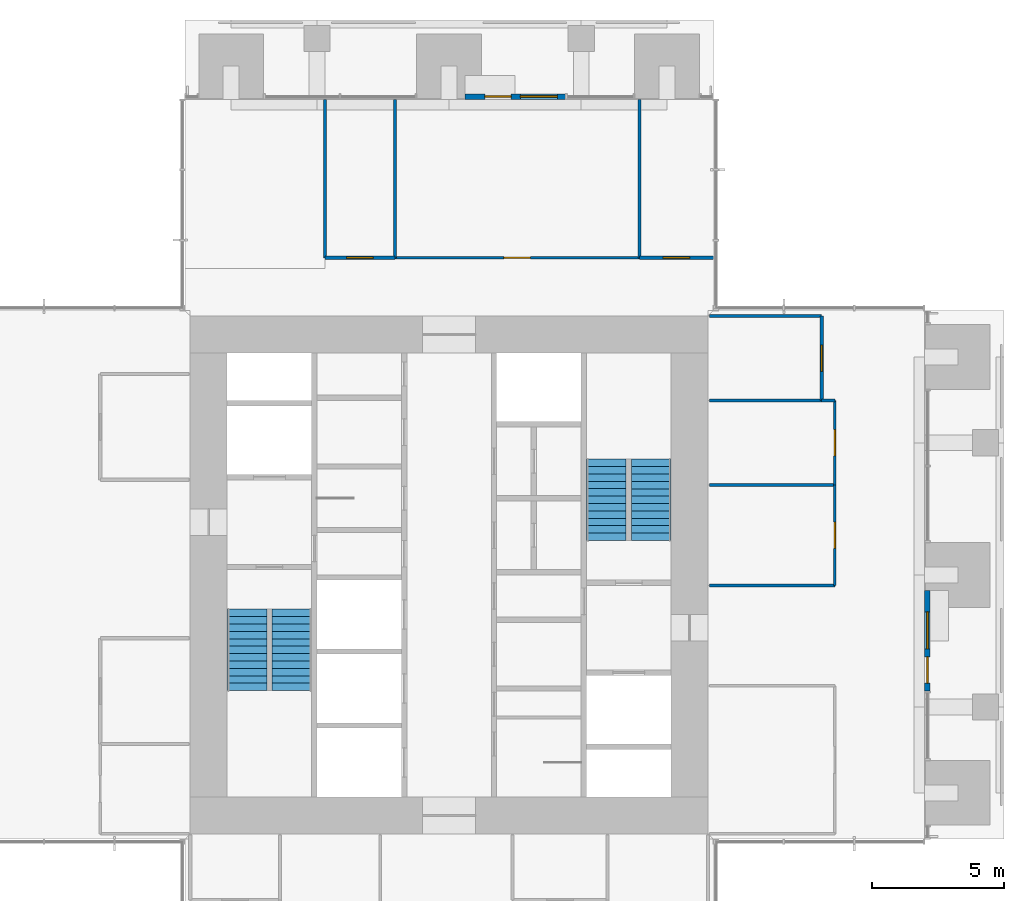
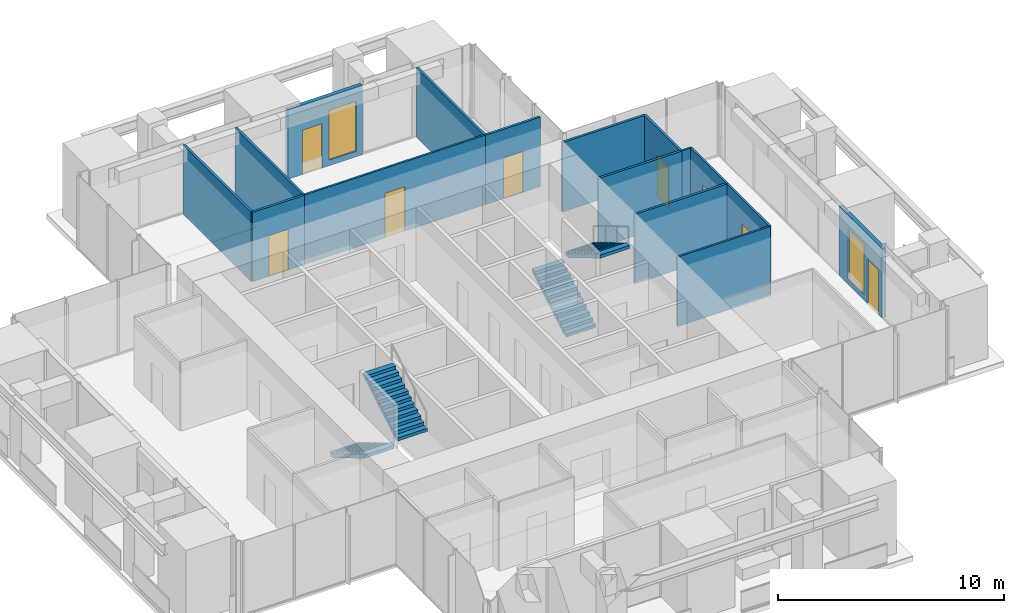
# One storey, part 14 of 17: 16 walls, 8 doors, 4 stair flights, 2 windows, 10 openings, 2 elements without a shape of their own.
"""IFC4 building model written with IfcOpenShell, lengths in metres."""

from ifc_helpers import new_model, si_unit, direction, frame, frame_2d, origin, place, context, subcontext, project, spatial, polyline, rectangle, outline, extrude, material, layer, layer_set, type_object, element, fill, aggregate, save


model = new_model("IFC4")

# Units and contexts
model_context = context("Model", 3, precision=1e-05, world=origin(), true_north=direction((0.0, 1.0)))
body_context = subcontext(model_context, "Body", "Model", "MODEL_VIEW")
ifc_project = project(units=[si_unit("LENGTHUNIT", "METRE"), si_unit("AREAUNIT", "SQUARE_METRE"), si_unit("VOLUMEUNIT", "CUBIC_METRE"), si_unit("PLANEANGLEUNIT", "RADIAN"), si_unit("MASSUNIT", "GRAM", prefix="KILO")], contexts=[model_context])

# Site, building, storey
site_placement = place(None, origin())
site = spatial("IfcSite", under=ifc_project, at=site_placement, CompositionType="ELEMENT")
building_placement = place(site_placement, origin())
building = spatial("IfcBuilding", under=site, at=building_placement, Name="Svetlomir Tower", CompositionType="ELEMENT")
storey_placement = place(building_placement, frame((0.0, 0.0, 194.5)))
storey = spatial("IfcBuildingStorey", under=building, at=storey_placement, Name="L46", CompositionType="ELEMENT", Elevation=194.5)

# Wall, openings, door, window
ifc_material_1 = material(Name="Bronze anodised aluminium glazed screen", Category="aluminium")
ifc_layer_1 = layer(ifc_material_1, 0.199951171875)
ifc_layer_set_1 = layer_set([ifc_layer_1], Name="Bronze anodised aluminium glazed screen")
wall_type_1 = type_object("IfcWallType", Name="BALCONY SCREEN WALL 200", PredefinedType="USERDEFINED", material=ifc_layer_set_1)
wall_1_placement = place(storey_placement, frame((39.10009765625, 16.60009765625, 0.0), z_axis=(0.0, 0.0, 1.0), x_axis=(0.0, 1.0, 0.0)))
wall_1 = element("IfcWall", 1, at=wall_1_placement, inside=storey, type_object=wall_type_1, Name="Balcony screen E", ObjectType="GLAZED SCREEN", PredefinedType="USERDEFINED", context=body_context, shape_type="SweptSolid", body=[
    extrude(rectangle(XDim=3.7998046875, YDim=0.199951171875, at=frame_2d((1.89990234375, 0.0))), origin(), (0.0, 0.0, 1.0), 3.75),
])
opening_1_placement = place(wall_1_placement, frame((0.300048828125, 0.0, 0.0)))
opening_1 = element("IfcOpeningElement", 2, at=opening_1_placement, cuts=wall_1, Name="Opening BD", PredefinedType="OPENING", context=body_context, shape_type="SweptSolid", body=[
    extrude(rectangle(XDim=1.0, YDim=2.39990234375, at=frame_2d((0.5, 1.199951171875))), frame((0.0, 0.10986328125, 0.0), z_axis=(0.0, -1.0, 0.0), x_axis=(1.0, 0.0, 0.0)), (0.0, 0.0, 1.0), 0.219970703125),
])
opening_2_placement = place(wall_1_placement, frame((1.60009765625, 0.0, 0.300048828125)))
opening_2 = element("IfcOpeningElement", 3, at=opening_2_placement, cuts=wall_1, Name="Opening WS2", PredefinedType="OPENING", context=body_context, shape_type="SweptSolid", body=[
    extrude(rectangle(XDim=1.39990234375, YDim=2.699951171875, at=frame_2d((0.699951171875, 1.35009765625))), frame((0.0, 0.10986328125, 0.0), z_axis=(0.0, -1.0, 0.0), x_axis=(1.0, 0.0, 0.0)), (0.0, 0.0, 1.0), 0.219970703125),
])
ifc_material_2 = material(Name="Bronze anodised aluminium glazed door", Category="aluminium")
door_type_1 = type_object("IfcDoorType", Name="BALCONY DOOR BD 1000x2400", OperationType="SINGLE_SWING_LEFT", PredefinedType="DOOR", material=ifc_material_2)
door_1_placement = place(opening_1_placement, origin())
door_1 = element("IfcDoor", 4, at=door_1_placement, inside=storey, type_object=door_type_1, Name="Balcony screen E door", OperationType="SINGLE_SWING_LEFT", OverallHeight=2.39990234375, OverallWidth=1.0, PredefinedType="DOOR", context=body_context, shape_type="SweptSolid", body=[
    extrude(rectangle(XDim=1.0, YDim=2.39990234375, at=frame_2d((0.5, 1.199951171875))), frame((0.0, 0.02490234375, 0.0), z_axis=(0.0, -1.0, 0.0), x_axis=(1.0, 0.0, 0.0)), (0.0, 0.0, 1.0), 0.050048828125),
])
fill(opening_1, door_1)
ifc_material_3 = material(Name="Bronze anodised aluminium window", Category="aluminium")
window_type = type_object("IfcWindowType", Name="SCREEN WINDOW WS2 1400x2700", PartitioningType="SINGLE_PANEL", PredefinedType="WINDOW", material=ifc_material_3)
window_1_placement = place(opening_2_placement, origin())
window_1 = element("IfcWindow", 5, at=window_1_placement, inside=storey, type_object=window_type, Name="Balcony screen E window 1", OverallHeight=2.699951171875, OverallWidth=1.39990234375, PartitioningType="SINGLE_PANEL", PredefinedType="WINDOW", context=body_context, shape_type="SweptSolid", body=[
    extrude(rectangle(XDim=1.39990234375, YDim=2.699951171875, at=frame_2d((0.699951171875, 1.35009765625))), frame((0.0, 0.030029296875, 0.0), z_axis=(0.0, -1.0, 0.0), x_axis=(1.0, 0.0, 0.0)), (0.0, 0.0, 1.0), 0.06005859375),
])
fill(opening_2, window_1)

wall_2_placement = place(storey_placement, frame((25.39990234375, 39.10009765625, 0.0), z_axis=(0.0, 0.0, 1.0), x_axis=(-1.0, 0.0, 0.0)))
wall_2 = element("IfcWall", 6, at=wall_2_placement, inside=storey, type_object=wall_type_1, Name="Balcony screen N", ObjectType="GLAZED SCREEN", PredefinedType="USERDEFINED", context=body_context, shape_type="SweptSolid", body=[
    extrude(rectangle(XDim=3.7998046875, YDim=0.199951171875, at=frame_2d((1.89990234375, 0.0))), origin(), (0.0, 0.0, 1.0), 3.75),
])
opening_3_placement = place(wall_2_placement, frame((2.050048828125, 0.0, 0.0)))
opening_3 = element("IfcOpeningElement", 7, at=opening_3_placement, cuts=wall_2, Name="Opening BD", PredefinedType="OPENING", context=body_context, shape_type="SweptSolid", body=[
    extrude(rectangle(XDim=1.0, YDim=2.39990234375, at=frame_2d((0.5, 1.199951171875))), frame((0.0, 0.10986328125, 0.0), z_axis=(0.0, -1.0, 0.0), x_axis=(1.0, 0.0, 0.0)), (0.0, 0.0, 1.0), 0.219970703125),
])
opening_4_placement = place(wall_2_placement, frame((0.300048828125, 0.0, 0.300048828125)))
opening_4 = element("IfcOpeningElement", 8, at=opening_4_placement, cuts=wall_2, Name="Opening WS2", PredefinedType="OPENING", context=body_context, shape_type="SweptSolid", body=[
    extrude(rectangle(XDim=1.39990234375, YDim=2.699951171875, at=frame_2d((0.699951171875, 1.35009765625))), frame((0.0, 0.10986328125, 0.0), z_axis=(0.0, -1.0, 0.0), x_axis=(1.0, 0.0, 0.0)), (0.0, 0.0, 1.0), 0.219970703125),
])
door_2_placement = place(opening_3_placement, origin())
door_2 = element("IfcDoor", 9, at=door_2_placement, inside=storey, type_object=door_type_1, Name="Balcony screen N door", OperationType="SINGLE_SWING_LEFT", OverallHeight=2.39990234375, OverallWidth=1.0, PredefinedType="DOOR", context=body_context, shape_type="SweptSolid", body=[
    extrude(rectangle(XDim=1.0, YDim=2.39990234375, at=frame_2d((0.5, 1.199951171875))), frame((0.0, 0.02490234375, 0.0), z_axis=(0.0, -1.0, 0.0), x_axis=(1.0, 0.0, 0.0)), (0.0, 0.0, 1.0), 0.050048828125),
])
fill(opening_3, door_2)
window_2_placement = place(opening_4_placement, origin())
window_2 = element("IfcWindow", 10, at=window_2_placement, inside=storey, type_object=window_type, Name="Balcony screen N window 1", OverallHeight=2.699951171875, OverallWidth=1.39990234375, PartitioningType="SINGLE_PANEL", PredefinedType="WINDOW", context=body_context, shape_type="SweptSolid", body=[
    extrude(rectangle(XDim=1.39990234375, YDim=2.699951171875, at=frame_2d((0.699951171875, 1.35009765625))), frame((0.0, 0.030029296875, 0.0), z_axis=(0.0, -1.0, 0.0), x_axis=(1.0, 0.0, 0.0)), (0.0, 0.0, 1.0), 0.06005859375),
])
fill(opening_4, window_2)

# Wall, opening, door
ifc_material_4 = material(Name="Framed laminated glass partition", Category="glass")
ifc_layer_2 = layer(ifc_material_4, 0.10009765625)
ifc_layer_set_2 = layer_set([ifc_layer_2], Name="Framed laminated glass partition")
wall_type_2 = type_object("IfcWallType", Name="GLAZED PARTITION 100", PredefinedType="PARTITIONING", material=ifc_layer_set_2)
wall_3_placement = place(storey_placement, frame((18.949951171875, 33.0, 0.0), z_axis=(0.0, 0.0, 1.0), x_axis=(1.0, 0.0, 0.0)))
wall_3 = element("IfcWall", 11, at=wall_3_placement, inside=storey, type_object=wall_type_2, Name="Glazed partition L46", PredefinedType="PARTITIONING", context=body_context, shape_type="SweptSolid", body=[
    extrude(rectangle(XDim=9.25, YDim=0.10009765625, at=frame_2d((4.625, 0.0))), origin(), (0.0, 0.0, 1.0), 3.75),
])
opening_5_placement = place(wall_3_placement, frame((4.125, 0.0, 0.0)))
opening_5 = element("IfcOpeningElement", 12, at=opening_5_placement, cuts=wall_3, Name="Opening DG", PredefinedType="OPENING", context=body_context, shape_type="SweptSolid", body=[
    extrude(rectangle(XDim=1.0, YDim=2.39990234375, at=frame_2d((0.5, 1.199951171875))), frame((0.0, 0.06005859375, 0.0), z_axis=(0.0, -1.0, 0.0), x_axis=(1.0, 0.0, 0.0)), (0.0, 0.0, 1.0), 0.1201171875),
])
ifc_material_5 = material(Name="Framed laminated glass door", Category="glass")
door_type_2 = type_object("IfcDoorType", Name="GLAZED DOOR DG 1000x2400", OperationType="SINGLE_SWING_LEFT", PredefinedType="DOOR", material=ifc_material_5)
door_3_placement = place(opening_5_placement, origin())
door_3 = element("IfcDoor", 13, at=door_3_placement, inside=storey, type_object=door_type_2, Name="Underwriting team hub door L46", OperationType="SINGLE_SWING_LEFT", OverallHeight=2.39990234375, OverallWidth=1.0, PredefinedType="DOOR", context=body_context, shape_type="SweptSolid", body=[
    extrude(rectangle(XDim=1.0, YDim=2.39990234375, at=frame_2d((0.5, 1.199951171875))), frame((0.0, 0.02490234375, 0.0), z_axis=(0.0, -1.0, 0.0), x_axis=(1.0, 0.0, 0.0)), (0.0, 0.0, 1.0), 0.050048828125),
])
fill(opening_5, door_3)

# Walls
wall_4_placement = place(storey_placement, frame((30.85009765625, 20.60009765625, 0.0), z_axis=(0.0, 0.0, 1.0), x_axis=(1.0, 0.0, 0.0)))
element("IfcWall", 14, at=wall_4_placement, inside=storey, type_object=wall_type_2, Name="Glazed partition L46", PredefinedType="PARTITIONING", context=body_context, shape_type="SweptSolid", body=[
    extrude(rectangle(XDim=4.75, YDim=0.10009765625, at=frame_2d((2.375, 0.0))), origin(), (0.0, 0.0, 1.0), 3.75),
])
wall_5_placement = place(storey_placement, frame((35.10009765625, 27.60009765625, 0.0), z_axis=(0.0, 0.0, 1.0), x_axis=(1.0, 0.0, 0.0)))
element("IfcWall", 15, at=wall_5_placement, inside=storey, type_object=wall_type_2, Name="Glazed partition L46", PredefinedType="PARTITIONING", context=body_context, shape_type="SweptSolid", body=[
    extrude(rectangle(XDim=0.5, YDim=0.10009765625, at=frame_2d((0.25, 0.0))), origin(), (0.0, 0.0, 1.0), 3.75),
])

# Wall, opening, door
wall_6_placement = place(storey_placement, frame((35.60009765625, 20.60009765625, 0.0), z_axis=(0.0, 0.0, 1.0), x_axis=(0.0, 1.0, 0.0)))
wall_6 = element("IfcWall", 16, at=wall_6_placement, inside=storey, type_object=wall_type_2, Name="Glazed partition L46", PredefinedType="PARTITIONING", context=body_context, shape_type="SweptSolid", body=[
    extrude(rectangle(XDim=3.7998046875, YDim=0.10009765625, at=frame_2d((1.89990234375, 0.0))), origin(), (0.0, 0.0, 1.0), 3.75),
])
opening_6_placement = place(wall_6_placement, frame((1.39990234375, 0.0, 0.0)))
opening_6 = element("IfcOpeningElement", 17, at=opening_6_placement, cuts=wall_6, Name="Opening DG", PredefinedType="OPENING", context=body_context, shape_type="SweptSolid", body=[
    extrude(rectangle(XDim=1.0, YDim=2.39990234375, at=frame_2d((0.5, 1.199951171875))), frame((0.0, 0.06005859375, 0.0), z_axis=(0.0, -1.0, 0.0), x_axis=(1.0, 0.0, 0.0)), (0.0, 0.0, 1.0), 0.1201171875),
])
door_4_placement = place(opening_6_placement, origin())
door_4 = element("IfcDoor", 18, at=door_4_placement, inside=storey, type_object=door_type_2, Name="Meeting room, 6 seats door L46", OperationType="SINGLE_SWING_LEFT", OverallHeight=2.39990234375, OverallWidth=1.0, PredefinedType="DOOR", context=body_context, shape_type="SweptSolid", body=[
    extrude(rectangle(XDim=1.0, YDim=2.39990234375, at=frame_2d((0.5, 1.199951171875))), frame((0.0, 0.02490234375, 0.0), z_axis=(0.0, -1.0, 0.0), x_axis=(1.0, 0.0, 0.0)), (0.0, 0.0, 1.0), 0.050048828125),
])
fill(opening_6, door_4)

wall_7_placement = place(storey_placement, frame((35.60009765625, 24.39990234375, 0.0), z_axis=(0.0, 0.0, 1.0), x_axis=(0.0, 1.0, 0.0)))
wall_7 = element("IfcWall", 19, at=wall_7_placement, inside=storey, type_object=wall_type_2, Name="Glazed partition L46", PredefinedType="PARTITIONING", context=body_context, shape_type="SweptSolid", body=[
    extrude(rectangle(XDim=3.2001953125, YDim=0.10009765625, at=frame_2d((1.60009765625, 0.0))), origin(), (0.0, 0.0, 1.0), 3.75),
])
opening_7_placement = place(wall_7_placement, frame((1.10009765625, 0.0, 0.0)))
opening_7 = element("IfcOpeningElement", 20, at=opening_7_placement, cuts=wall_7, Name="Opening DG", PredefinedType="OPENING", context=body_context, shape_type="SweptSolid", body=[
    extrude(rectangle(XDim=1.0, YDim=2.39990234375, at=frame_2d((0.5, 1.199951171875))), frame((0.0, 0.06005859375, 0.0), z_axis=(0.0, -1.0, 0.0), x_axis=(1.0, 0.0, 0.0)), (0.0, 0.0, 1.0), 0.1201171875),
])
door_5_placement = place(opening_7_placement, origin())
door_5 = element("IfcDoor", 21, at=door_5_placement, inside=storey, type_object=door_type_2, Name="Focus room door L46", OperationType="SINGLE_SWING_RIGHT", OverallHeight=2.39990234375, OverallWidth=1.0, PredefinedType="DOOR", context=body_context, shape_type="SweptSolid", body=[
    extrude(rectangle(XDim=1.0, YDim=2.39990234375, at=frame_2d((0.5, 1.199951171875))), frame((0.0, 0.02490234375, 0.0), z_axis=(0.0, -1.0, 0.0), x_axis=(1.0, 0.0, 0.0)), (0.0, 0.0, 1.0), 0.050048828125),
])
fill(opening_7, door_5)

# Wall
ifc_material_6 = material(Name="Gypsum board on steel studs", Category="steel")
ifc_layer_3 = layer(ifc_material_6, 0.1201171875)
ifc_layer_set_3 = layer_set([ifc_layer_3], Name="Gypsum board on steel studs")
wall_type_3 = type_object("IfcWallType", Name="PARTITION 120", PredefinedType="PARTITIONING", material=ifc_layer_set_3)
wall_8_placement = place(storey_placement, frame((16.300048828125, 33.0, 0.0), z_axis=(0.0, 0.0, 1.0), x_axis=(0.0, 1.0, 0.0)))
element("IfcWall", 22, at=wall_8_placement, inside=storey, type_object=wall_type_3, Name="Partition L46", PredefinedType="PARTITIONING", context=body_context, shape_type="SweptSolid", body=[
    extrude(rectangle(XDim=6.0, YDim=0.1201171875, at=frame_2d((3.0, 0.0))), origin(), (0.0, 0.0, 1.0), 3.75),
])

# Wall, opening, door
wall_9_placement = place(storey_placement, frame((16.300048828125, 33.0, 0.0), z_axis=(0.0, 0.0, 1.0), x_axis=(1.0, 0.0, 0.0)))
wall_9 = element("IfcWall", 23, at=wall_9_placement, inside=storey, type_object=wall_type_3, Name="Partition L46", PredefinedType="PARTITIONING", context=body_context, shape_type="SweptSolid", body=[
    extrude(rectangle(XDim=2.64990234375, YDim=0.1201171875, at=frame_2d((1.324951171875, 0.0))), origin(), (0.0, 0.0, 1.0), 3.75),
])
opening_8_placement = place(wall_9_placement, frame((0.824951171875, 0.0, 0.0)))
opening_8 = element("IfcOpeningElement", 24, at=opening_8_placement, cuts=wall_9, Name="Opening DR", PredefinedType="OPENING", context=body_context, shape_type="SweptSolid", body=[
    extrude(rectangle(XDim=1.0, YDim=2.199951171875, at=frame_2d((0.5, 1.10009765625))), frame((0.0, 0.070068359375, 0.0), z_axis=(0.0, -1.0, 0.0), x_axis=(1.0, 0.0, 0.0)), (0.0, 0.0, 1.0), 0.14013671875),
])
ifc_material_7 = material(Name="Timber door, glazed side light", Category="wood")
door_type_3 = type_object("IfcDoorType", Name="DOOR DR 1000x2200", OperationType="SINGLE_SWING_LEFT", PredefinedType="DOOR", material=ifc_material_7)
door_6_placement = place(opening_8_placement, origin())
door_6 = element("IfcDoor", 25, at=door_6_placement, inside=storey, type_object=door_type_3, Name="Chief underwriter office door L46", OperationType="SINGLE_SWING_RIGHT", OverallHeight=2.199951171875, OverallWidth=1.0, PredefinedType="DOOR", context=body_context, shape_type="SweptSolid", body=[
    extrude(rectangle(XDim=1.0, YDim=2.199951171875, at=frame_2d((0.5, 1.10009765625))), frame((0.0, 0.02490234375, 0.0), z_axis=(0.0, -1.0, 0.0), x_axis=(1.0, 0.0, 0.0)), (0.0, 0.0, 1.0), 0.050048828125),
])
fill(opening_8, door_6)

# Walls
for number, where, z_axis, x_axis, name in (
    (26, (18.949951171875, 33.0, 0.0), (0.0, 0.0, 1.0), (0.0, 1.0, 0.0), "Partition L46"),
    (27, (28.199951171875, 33.0, 0.0), (0.0, 0.0, 1.0), (0.0, 1.0, 0.0), "Partition L46"),
):
    element("IfcWall", number, at=place(storey_placement, frame(where, z_axis=z_axis, x_axis=x_axis)), inside=storey, type_object=wall_type_3, Name=name, PredefinedType="PARTITIONING", context=body_context, shape_type="SweptSolid", body=[
        extrude(rectangle(XDim=6.0, YDim=0.1201171875, at=frame_2d((3.0, 0.0))), origin(), (0.0, 0.0, 1.0), 3.75),
    ])

# Wall, opening, door
wall_10_placement = place(storey_placement, frame((28.199951171875, 33.0, 0.0), z_axis=(0.0, 0.0, 1.0), x_axis=(1.0, 0.0, 0.0)))
wall_10 = element("IfcWall", 28, at=wall_10_placement, inside=storey, type_object=wall_type_3, Name="Partition L46", PredefinedType="PARTITIONING", context=body_context, shape_type="SweptSolid", body=[
    extrude(rectangle(XDim=2.800048828125, YDim=0.1201171875, at=frame_2d((1.39990234375, 0.0))), origin(), (0.0, 0.0, 1.0), 3.75),
])
opening_9_placement = place(wall_10_placement, frame((0.89990234375, 0.0, 0.0)))
opening_9 = element("IfcOpeningElement", 29, at=opening_9_placement, cuts=wall_10, Name="Opening DR", PredefinedType="OPENING", context=body_context, shape_type="SweptSolid", body=[
    extrude(rectangle(XDim=1.0, YDim=2.199951171875, at=frame_2d((0.5, 1.10009765625))), frame((0.0, 0.070068359375, 0.0), z_axis=(0.0, -1.0, 0.0), x_axis=(1.0, 0.0, 0.0)), (0.0, 0.0, 1.0), 0.14013671875),
])
door_7_placement = place(opening_9_placement, origin())
door_7 = element("IfcDoor", 30, at=door_7_placement, inside=storey, type_object=door_type_3, Name="Underwriter office door L46", OperationType="SINGLE_SWING_LEFT", OverallHeight=2.199951171875, OverallWidth=1.0, PredefinedType="DOOR", context=body_context, shape_type="SweptSolid", body=[
    extrude(rectangle(XDim=1.0, YDim=2.199951171875, at=frame_2d((0.5, 1.10009765625))), frame((0.0, 0.02490234375, 0.0), z_axis=(0.0, -1.0, 0.0), x_axis=(1.0, 0.0, 0.0)), (0.0, 0.0, 1.0), 0.050048828125),
])
fill(opening_9, door_7)

# Walls
wall_11_placement = place(storey_placement, frame((30.85009765625, 24.39990234375, 0.0), z_axis=(0.0, 0.0, 1.0), x_axis=(1.0, 0.0, 0.0)))
element("IfcWall", 31, at=wall_11_placement, inside=storey, type_object=wall_type_3, Name="Partition L46", PredefinedType="PARTITIONING", context=body_context, shape_type="SweptSolid", body=[
    extrude(rectangle(XDim=4.75, YDim=0.1201171875, at=frame_2d((2.375, 0.0))), origin(), (0.0, 0.0, 1.0), 3.75),
])
for number, where, z_axis, x_axis, name in (
    (32, (30.85009765625, 27.60009765625, 0.0), (0.0, 0.0, 1.0), (1.0, 0.0, 0.0), "Partition L46"),
    (33, (30.85009765625, 30.800048828125, 0.0), (0.0, 0.0, 1.0), (1.0, 0.0, 0.0), "Partition L46"),
):
    element("IfcWall", number, at=place(storey_placement, frame(where, z_axis=z_axis, x_axis=x_axis)), inside=storey, type_object=wall_type_3, Name=name, PredefinedType="PARTITIONING", context=body_context, shape_type="SweptSolid", body=[
        extrude(rectangle(XDim=4.25, YDim=0.1201171875, at=frame_2d((2.125, 0.0))), origin(), (0.0, 0.0, 1.0), 3.75),
    ])

# Wall, opening, door
wall_12_placement = place(storey_placement, frame((35.10009765625, 27.60009765625, 0.0), z_axis=(0.0, 0.0, 1.0), x_axis=(0.0, 1.0, 0.0)))
wall_12 = element("IfcWall", 34, at=wall_12_placement, inside=storey, type_object=wall_type_3, Name="Partition L46", PredefinedType="PARTITIONING", context=body_context, shape_type="SweptSolid", body=[
    extrude(rectangle(XDim=3.199951171875, YDim=0.1201171875, at=frame_2d((1.60009765625, 0.0))), origin(), (0.0, 0.0, 1.0), 3.75),
])
opening_10_placement = place(wall_12_placement, frame((1.10009765625, 0.0, 0.0)))
opening_10 = element("IfcOpeningElement", 35, at=opening_10_placement, cuts=wall_12, Name="Opening DR", PredefinedType="OPENING", context=body_context, shape_type="SweptSolid", body=[
    extrude(rectangle(XDim=1.0, YDim=2.199951171875, at=frame_2d((0.5, 1.10009765625))), frame((0.0, 0.070068359375, 0.0), z_axis=(0.0, -1.0, 0.0), x_axis=(1.0, 0.0, 0.0)), (0.0, 0.0, 1.0), 0.14013671875),
])
door_8_placement = place(opening_10_placement, origin())
door_8 = element("IfcDoor", 36, at=door_8_placement, inside=storey, type_object=door_type_3, Name="Policy archive door L46", OperationType="SINGLE_SWING_LEFT", OverallHeight=2.199951171875, OverallWidth=1.0, PredefinedType="DOOR", context=body_context, shape_type="SweptSolid", body=[
    extrude(rectangle(XDim=1.0, YDim=2.199951171875, at=frame_2d((0.5, 1.10009765625))), frame((0.0, 0.02490234375, 0.0), z_axis=(0.0, -1.0, 0.0), x_axis=(1.0, 0.0, 0.0)), (0.0, 0.0, 1.0), 0.050048828125),
])
fill(opening_10, door_8)

# Stair, stair flights
ifc_material_8 = material(Name="Concrete C60/75", Category="concrete")
stair_type = type_object("IfcStairType", Name="EXIT STAIR 3200 RISE 4000", PredefinedType="HALF_TURN_STAIR", material=ifc_material_8)
stair_1_placement = place(storey_placement, origin())
stair_1 = element("IfcStair", 37, at=stair_1_placement, inside=storey, type_object=stair_type, Name="Stair S1 L46 to L47", PredefinedType="HALF_TURN_STAIR")
ifc_material_9 = material(Name="Concrete C60/75", Category="concrete")
stair_flight_type = type_object("IfcStairFlightType", Name="STAIR FLIGHT 1500 OF 12 RISERS", PredefinedType="STRAIGHT", material=ifc_material_9)
stair_flight_1_placement = place(storey_placement, frame((13.35009765625, 19.699951171875, 0.0), z_axis=(0.0, 0.0, 1.0), x_axis=(0.0, -1.0, 0.0)))
stair_flight_1 = element("IfcStairFlight", 38, at=stair_flight_1_placement, type_object=stair_flight_type, Name="S1 flight 1", NumberOfRisers=12, NumberOfTreads=11, PredefinedType="STRAIGHT", RiserHeight=0.166666667, TreadLength=0.28, context=body_context, shape_type="SweptSolid", body=[
    extrude(outline(polyline([(0.0, 0.0), (0.0, 0.166748046875), (0.280029296875, 0.166748046875), (0.280029296875, 0.333251953125), (0.56005859375, 0.333251953125), (0.56005859375, 0.5), (0.840087890625, 0.5), (0.840087890625, 0.666748046875), (1.1201171875, 0.666748046875), (1.1201171875, 0.833251953125), (1.39990234375, 0.833251953125), (1.39990234375, 1.0), (1.679931640625, 1.0), (1.679931640625, 1.166748046875), (1.9599609375, 1.166748046875), (1.9599609375, 1.333251953125), (2.239990234375, 1.333251953125), (2.239990234375, 1.5), (2.52001953125, 1.5), (2.52001953125, 1.666748046875), (2.800048828125, 1.666748046875), (2.800048828125, 1.833251953125), (3.080078125, 1.833251953125), (3.080078125, 2.0), (3.080078125, 1.658935546875), (0.29296875, 0.0), (0.0, 0.0)])), frame((0.0, 0.75, 0.0), z_axis=(0.0, -1.0, 0.0), x_axis=(1.0, 0.0, 0.0)), (0.0, 0.0, 1.0), 1.5),
])
stair_flight_2_placement = place(storey_placement, frame((15.050048828125, 16.6201171875, 2.0), z_axis=(0.0, 0.0, 1.0), x_axis=(0.0, 1.0, 0.0)))
stair_flight_2 = element("IfcStairFlight", 39, at=stair_flight_2_placement, type_object=stair_flight_type, Name="S1 flight 2", NumberOfRisers=12, NumberOfTreads=11, PredefinedType="STRAIGHT", RiserHeight=0.166666667, TreadLength=0.28, context=body_context, shape_type="SweptSolid", body=[
    extrude(outline(polyline([(0.0, 0.0), (0.0, 0.166748046875), (0.280029296875, 0.166748046875), (0.280029296875, 0.333251953125), (0.56005859375, 0.333251953125), (0.56005859375, 0.5), (0.840087890625, 0.5), (0.840087890625, 0.666748046875), (1.1201171875, 0.666748046875), (1.1201171875, 0.833251953125), (1.39990234375, 0.833251953125), (1.39990234375, 1.0), (1.679931640625, 1.0), (1.679931640625, 1.166748046875), (1.9599609375, 1.166748046875), (1.9599609375, 1.333251953125), (2.239990234375, 1.333251953125), (2.239990234375, 1.5), (2.52001953125, 1.5), (2.52001953125, 1.666748046875), (2.800048828125, 1.666748046875), (2.800048828125, 1.833251953125), (3.080078125, 1.833251953125), (3.080078125, 2.0), (3.080078125, 1.658935546875), (0.29296875, 0.0), (0.0, 0.0)])), frame((0.0, 0.75, 0.0), z_axis=(0.0, -1.0, 0.0), x_axis=(1.0, 0.0, 0.0)), (0.0, 0.0, 1.0), 1.5),
])
aggregate(stair_1, [stair_flight_1, stair_flight_2])

stair_2_placement = place(storey_placement, origin())
stair_2 = element("IfcStair", 40, at=stair_2_placement, inside=storey, type_object=stair_type, Name="Stair S2 L46 to L47", PredefinedType="HALF_TURN_STAIR")
stair_flight_3_placement = place(storey_placement, frame((26.949951171875, 22.300048828125, 0.0), z_axis=(0.0, 0.0, 1.0), x_axis=(0.0, 1.0, 0.0)))
stair_flight_3 = element("IfcStairFlight", 41, at=stair_flight_3_placement, type_object=stair_flight_type, Name="S2 flight 1", NumberOfRisers=12, NumberOfTreads=11, PredefinedType="STRAIGHT", RiserHeight=0.166666667, TreadLength=0.28, context=body_context, shape_type="SweptSolid", body=[
    extrude(outline(polyline([(0.0, 0.0), (0.0, 0.166748046875), (0.280029296875, 0.166748046875), (0.280029296875, 0.333251953125), (0.56005859375, 0.333251953125), (0.56005859375, 0.5), (0.840087890625, 0.5), (0.840087890625, 0.666748046875), (1.1201171875, 0.666748046875), (1.1201171875, 0.833251953125), (1.39990234375, 0.833251953125), (1.39990234375, 1.0), (1.679931640625, 1.0), (1.679931640625, 1.166748046875), (1.9599609375, 1.166748046875), (1.9599609375, 1.333251953125), (2.239990234375, 1.333251953125), (2.239990234375, 1.5), (2.52001953125, 1.5), (2.52001953125, 1.666748046875), (2.800048828125, 1.666748046875), (2.800048828125, 1.833251953125), (3.080078125, 1.833251953125), (3.080078125, 2.0), (3.080078125, 1.658935546875), (0.29296875, 0.0), (0.0, 0.0)])), frame((0.0, 0.75, 0.0), z_axis=(0.0, -1.0, 0.0), x_axis=(1.0, 0.0, 0.0)), (0.0, 0.0, 1.0), 1.5),
])
stair_flight_4_placement = place(storey_placement, frame((28.64990234375, 25.3798828125, 2.0), z_axis=(0.0, 0.0, 1.0), x_axis=(0.0, -1.0, 0.0)))
stair_flight_4 = element("IfcStairFlight", 42, at=stair_flight_4_placement, type_object=stair_flight_type, Name="S2 flight 2", NumberOfRisers=12, NumberOfTreads=11, PredefinedType="STRAIGHT", RiserHeight=0.166666667, TreadLength=0.28, context=body_context, shape_type="SweptSolid", body=[
    extrude(outline(polyline([(0.0, 0.0), (0.0, 0.166748046875), (0.280029296875, 0.166748046875), (0.280029296875, 0.333251953125), (0.56005859375, 0.333251953125), (0.56005859375, 0.5), (0.840087890625, 0.5), (0.840087890625, 0.666748046875), (1.1201171875, 0.666748046875), (1.1201171875, 0.833251953125), (1.39990234375, 0.833251953125), (1.39990234375, 1.0), (1.679931640625, 1.0), (1.679931640625, 1.166748046875), (1.9599609375, 1.166748046875), (1.9599609375, 1.333251953125), (2.239990234375, 1.333251953125), (2.239990234375, 1.5), (2.52001953125, 1.5), (2.52001953125, 1.666748046875), (2.800048828125, 1.666748046875), (2.800048828125, 1.833251953125), (3.080078125, 1.833251953125), (3.080078125, 2.0), (3.080078125, 1.658935546875), (0.29296875, 0.0), (0.0, 0.0)])), frame((0.0, 0.75, 0.0), z_axis=(0.0, -1.0, 0.0), x_axis=(1.0, 0.0, 0.0)), (0.0, 0.0, 1.0), 1.5),
])
aggregate(stair_2, [stair_flight_3, stair_flight_4])

save(model, "model.ifc")
